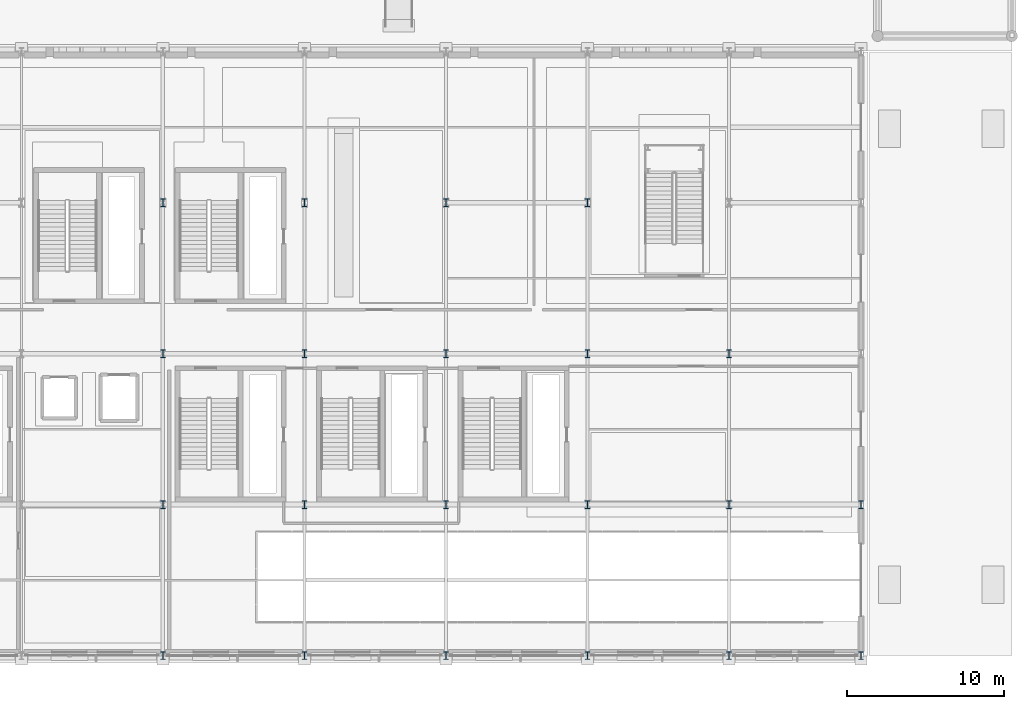
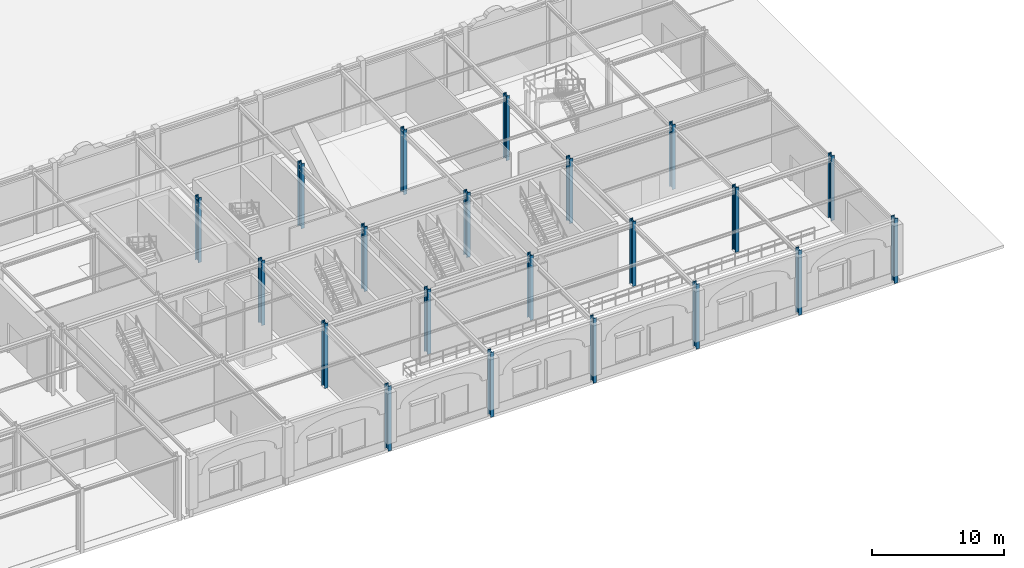
# One storey, part 18 of 113: 21 columns.
"""IFC4 building model written with IfcOpenShell, lengths in metres."""

from ifc_helpers import new_model, si_unit, direction, frame, origin, origin_2d, place, context, subcontext, project, spatial, i_section, extrude, material, material_profile, profile_set, type_object, element, save


model = new_model("IFC4")

# Units and contexts
model_context = context("Model", 3, precision=1e-05, world=origin(), true_north=direction((0.0, 1.0)))
body_context = subcontext(model_context, "Body", "Model", "MODEL_VIEW")
ifc_project = project(units=[si_unit("LENGTHUNIT", "METRE"), si_unit("AREAUNIT", "SQUARE_METRE"), si_unit("VOLUMEUNIT", "CUBIC_METRE"), si_unit("PLANEANGLEUNIT", "RADIAN"), si_unit("MASSUNIT", "GRAM", prefix="KILO")], contexts=[model_context])

# Site, building, storey
site_placement = place(None, origin())
site = spatial("IfcSite", under=ifc_project, at=site_placement, CompositionType="ELEMENT")
building_placement = place(site_placement, origin())
building = spatial("IfcBuilding", under=site, at=building_placement, Name="Myrtia Square Station", CompositionType="ELEMENT")
storey_placement = place(building_placement, origin())
storey = spatial("IfcBuildingStorey", under=building, at=storey_placement, Name="L00", CompositionType="ELEMENT", Elevation=0.0)

# Columns
ifc_material = material(Name="Steel S355", Category="steel")
ifc_material_profile = material_profile(ifc_material, i_section(OverallWidth=0.300048828125, OverallDepth=0.5, WebThickness=0.014404296875, FlangeThickness=0.028076171875, FilletRadius=0.027099609375, at=origin_2d()), Name="HEB 500")
ifc_profile_set = profile_set([ifc_material_profile], Name="Steel S355")
column_type = type_object("IfcColumnType", Name="COL-HEB500", PredefinedType="COLUMN", material=ifc_profile_set)
for number, where, z_axis, x_axis, name in (
    (1, (135.0, 0.0, 0.0), (0.0, 0.0, 1.0), (1.0, 0.0, 0.0), "Column L00-0610"),
    (2, (135.0, 9.60009765625, 0.0), (0.0, 0.0, 1.0), (1.0, 0.0, 0.0), "Column L00-0615"),
    (3, (135.0, 19.199951171875, 0.0), (0.0, 0.0, 1.0), (1.0, 0.0, 0.0), "Column L00-0620"),
    (4, (135.0, 28.800048828125, 0.0), (0.0, 0.0, 1.0), (1.0, 0.0, 0.0), "Column L00-0625"),
    (5, (144.0, 0.0, 0.0), (0.0, 0.0, 1.0), (1.0, 0.0, 0.0), "Column L00-0635"),
    (6, (144.0, 9.60009765625, 0.0), (0.0, 0.0, 1.0), (1.0, 0.0, 0.0), "Column L00-0640"),
    (7, (144.0, 19.199951171875, 0.0), (0.0, 0.0, 1.0), (1.0, 0.0, 0.0), "Column L00-0645"),
    (8, (144.0, 28.800048828125, 0.0), (0.0, 0.0, 1.0), (1.0, 0.0, 0.0), "Column L00-0650"),
    (9, (153.0, 0.0, 0.0), (0.0, 0.0, 1.0), (1.0, 0.0, 0.0), "Column L00-0660"),
    (10, (153.0, 9.60009765625, 0.0), (0.0, 0.0, 1.0), (1.0, 0.0, 0.0), "Column L00-0664"),
    (11, (153.0, 19.199951171875, 0.0), (0.0, 0.0, 1.0), (1.0, 0.0, 0.0), "Column L00-0668"),
    (12, (153.0, 28.800048828125, 0.0), (0.0, 0.0, 1.0), (1.0, 0.0, 0.0), "Column L00-0672"),
    (13, (162.0, 0.0, 0.0), (0.0, 0.0, 1.0), (1.0, 0.0, 0.0), "Column L00-0680"),
    (14, (162.0, 9.60009765625, 0.0), (0.0, 0.0, 1.0), (1.0, 0.0, 0.0), "Column L00-0684"),
    (15, (162.0, 19.199951171875, 0.0), (0.0, 0.0, 1.0), (1.0, 0.0, 0.0), "Column L00-0688"),
    (16, (162.0, 28.800048828125, 0.0), (0.0, 0.0, 1.0), (1.0, 0.0, 0.0), "Column L00-0692"),
    (17, (171.0, 0.0, 0.0), (0.0, 0.0, 1.0), (1.0, 0.0, 0.0), "Column L00-0700"),
    (18, (171.0, 9.60009765625, 0.0), (0.0, 0.0, 1.0), (1.0, 0.0, 0.0), "Column L00-0703"),
    (19, (171.0, 19.199951171875, 0.0), (0.0, 0.0, 1.0), (1.0, 0.0, 0.0), "Column L00-0706"),
    (20, (179.39990234375, 0.0, 0.0), (0.0, 0.0, 1.0), (1.0, 0.0, 0.0), "Column L00-0718"),
    (21, (179.39990234375, 9.60009765625, 0.0), (0.0, 0.0, 1.0), (1.0, 0.0, 0.0), "Column L00-0721"),
):
    element("IfcColumn", number, at=place(storey_placement, frame(where, z_axis=z_axis, x_axis=x_axis)), inside=storey, type_object=column_type, Name=name, PredefinedType="COLUMN", context=body_context, shape_type="SweptSolid", body=[
        extrude(i_section(OverallWidth=0.300048828125, OverallDepth=0.5, WebThickness=0.014404296875, FlangeThickness=0.028076171875, FilletRadius=0.027099609375, at=origin_2d()), origin(), (0.0, 0.0, 1.0), 6.0),
    ])

save(model, "model.ifc")
